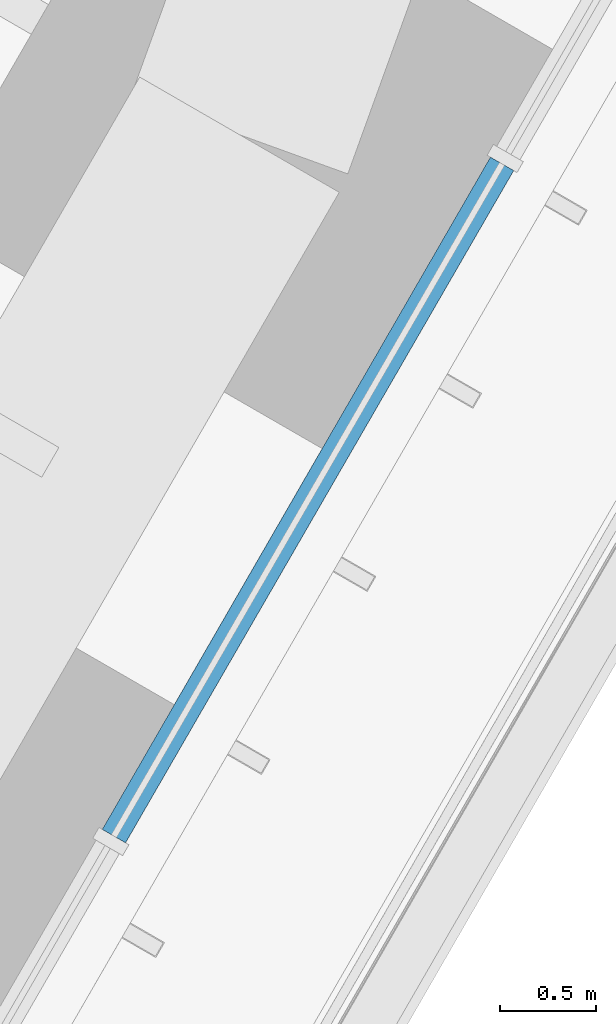
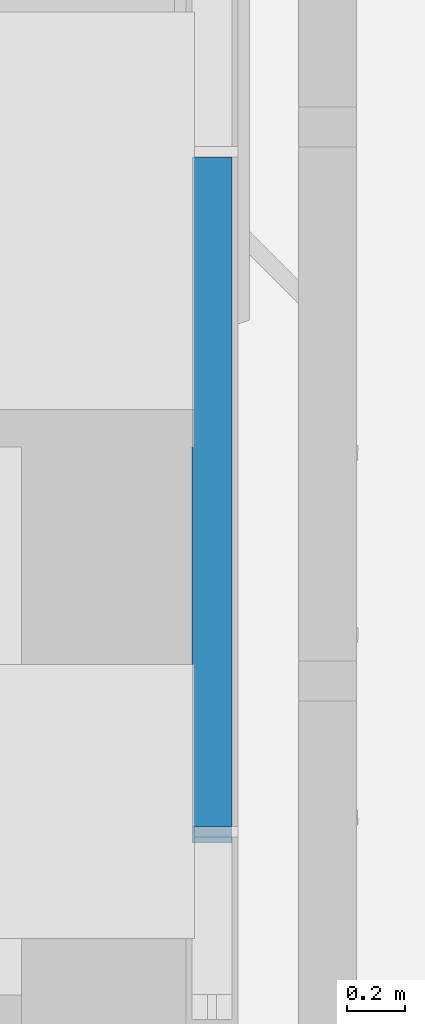
# One storey, part 114 of 238: 1 member, 1 element without a shape of its own.
"""IFC4 building model written with IfcOpenShell, lengths in metres."""

from ifc_helpers import new_model, si_unit, direction, frame, origin, origin_2d, place, context, subcontext, project, spatial, rectangle, extrude, material, material_profile, profile_set, type_object, element, aggregate, save


model = new_model("IFC4")

# Units and contexts
model_context = context("Model", 3, precision=1e-05, world=origin(), true_north=direction((0.0, 1.0)))
body_context = subcontext(model_context, "Body", "Model", "MODEL_VIEW")
ifc_project = project(units=[si_unit("LENGTHUNIT", "METRE"), si_unit("AREAUNIT", "SQUARE_METRE"), si_unit("VOLUMEUNIT", "CUBIC_METRE"), si_unit("PLANEANGLEUNIT", "RADIAN"), si_unit("MASSUNIT", "GRAM", prefix="KILO")], contexts=[model_context])

# Site, building, storey
site_placement = place(None, origin())
site = spatial("IfcSite", under=ifc_project, at=site_placement, CompositionType="ELEMENT")
building_placement = place(site_placement, origin())
building = spatial("IfcBuilding", under=site, at=building_placement, Name="Sandreach Pilgrim Tower", CompositionType="ELEMENT")
storey_placement = place(building_placement, frame((0.0, 0.0, 96.800048828125)))
storey = spatial("IfcBuildingStorey", under=building, at=storey_placement, Name="L23", CompositionType="ELEMENT", Elevation=96.800048828125)

# Curtain wall, member
ifc_material_1 = material(Name="Aluminium framed curtain wall", Category="aluminium")
curtain_wall_type = type_object("IfcCurtainWallType", Name="Hotel tower curtain wall", PredefinedType="NOTDEFINED", material=ifc_material_1)
curtain_wall_placement = place(storey_placement, origin())
curtain_wall = element("IfcCurtainWall", 1, at=curtain_wall_placement, inside=storey, type_object=curtain_wall_type, Name="CW-2 L23 SE", PredefinedType="NOTDEFINED")
ifc_material_2 = material(Name="Aluminium extrusion", Category="aluminium")
ifc_material_profile = material_profile(ifc_material_2, rectangle(XDim=0.139892578125, YDim=0.070068359375, at=origin_2d()), Name="CW-2T 140X70")
ifc_profile_set = profile_set([ifc_material_profile], Name="Aluminium extrusion")
member_type = type_object("IfcMemberType", Name="CW-2 transom", PredefinedType="USERDEFINED", material=ifc_profile_set)
member_placement = place(storey_placement, frame((26.651123046875, 1.173583984375, 3.60498046875), z_axis=(-0.499997818338, -0.866026663364, 0.0), x_axis=(0.866026663364, -0.499997818338, 0.0)))
member = element("IfcMember", 2, at=member_placement, type_object=member_type, Name="CW-2 head transom 2", ObjectType="TRANSOM", PredefinedType="USERDEFINED", context=body_context, shape_type="SweptSolid", body=[
    extrude(rectangle(XDim=0.139892578125, YDim=0.070068359375, at=origin_2d()), origin(), (0.0, 0.0, 1.0), 4.0419921875),
])
aggregate(curtain_wall, [member])

save(model, "model.ifc")
